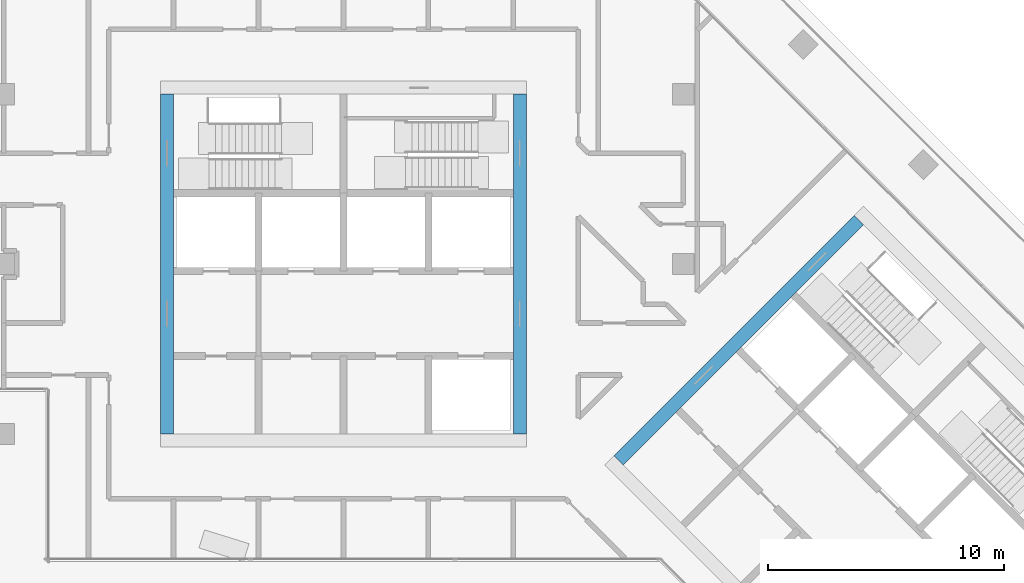
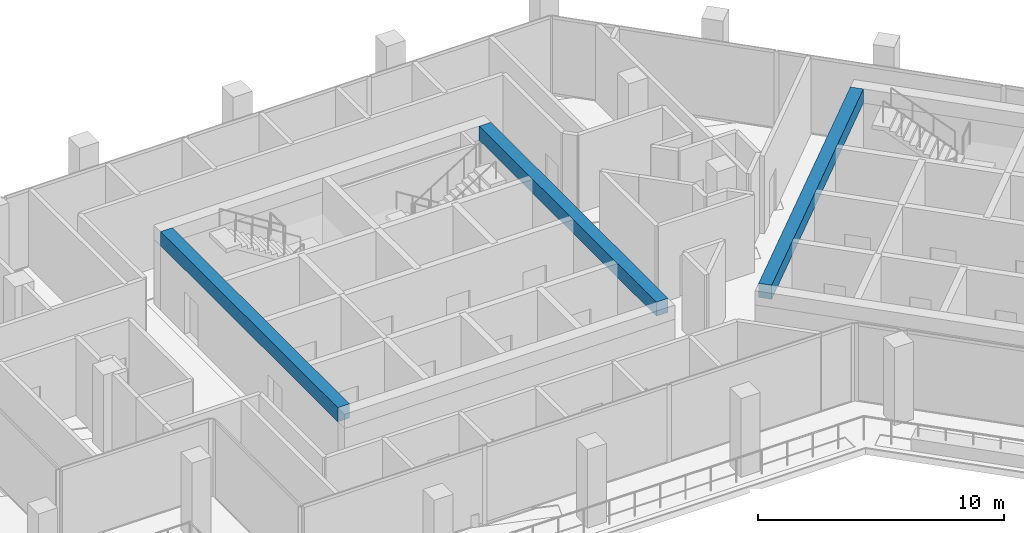
# One storey, part 4 of 19: 3 beams.
"""IFC4 building model written with IfcOpenShell, lengths in metres."""

from ifc_helpers import new_model, si_unit, direction, frame, origin, origin_2d, place, context, subcontext, project, spatial, rectangle, extrude, material, material_profile, profile_set, type_object, element, save


model = new_model("IFC4")

# Units and contexts
model_context = context("Model", 3, precision=1e-05, world=origin(), true_north=direction((0.0, 1.0)))
body_context = subcontext(model_context, "Body", "Model", "MODEL_VIEW")
ifc_project = project(units=[si_unit("LENGTHUNIT", "METRE"), si_unit("AREAUNIT", "SQUARE_METRE"), si_unit("VOLUMEUNIT", "CUBIC_METRE"), si_unit("PLANEANGLEUNIT", "RADIAN"), si_unit("MASSUNIT", "GRAM", prefix="KILO")], contexts=[model_context])

# Site, building, storey
site_placement = place(None, origin())
site = spatial("IfcSite", under=ifc_project, at=site_placement, CompositionType="ELEMENT")
building_placement = place(site_placement, origin())
building = spatial("IfcBuilding", under=site, at=building_placement, Name="Windrow Commons", CompositionType="ELEMENT")
storey_placement = place(building_placement, frame((0.0, 0.0, 185.4)))
storey = spatial("IfcBuildingStorey", under=building, at=storey_placement, Name="L50", CompositionType="ELEMENT", Elevation=185.4)

# Beams
ifc_material = material(Name="Concrete C50/60", Category="concrete")
ifc_material_profile = material_profile(ifc_material, rectangle(XDim=0.55, YDim=0.7, at=origin_2d()))
ifc_profile_set = profile_set([ifc_material_profile], Name="Concrete C50/60")
beam_type = type_object("IfcBeamType", Name="RC COUPLING BEAM 550x700 C50/60", PredefinedType="LINTEL", material=ifc_profile_set)
for number, where, z_axis, x_axis, name in (
    (1, (57.325, 50.4, 3.55), (0.0, 1.0, 0.0), (-1.0, 0.0, 0.0), "Core A coupling beam outer-W"),
    (2, (72.275, 50.4, 3.55), (0.0, 1.0, 0.0), (-1.0, 0.0, 0.0), "Core A coupling beam outer-E"),
):
    element("IfcBeam", number, at=place(storey_placement, frame(where, z_axis=z_axis, x_axis=x_axis)), inside=storey, type_object=beam_type, Name=name, PredefinedType="LINTEL", context=body_context, shape_type="SweptSolid", body=[
        extrude(rectangle(XDim=0.55, YDim=0.7, at=origin_2d()), origin(), (0.0, 0.0, 1.0), 14.4),
    ])
beam_placement = place(storey_placement, frame((76.46, 49.2842, 3.55), z_axis=(0.7071067812, 0.7071067812, 0.0), x_axis=(-0.7071067812, 0.7071067812, 0.0)))
element("IfcBeam", 3, at=beam_placement, inside=storey, type_object=beam_type, Name="Core B coupling beam outer-W", PredefinedType="LINTEL", context=body_context, shape_type="SweptSolid", body=[
    extrude(rectangle(XDim=0.55, YDim=0.7, at=origin_2d()), origin(), (0.0, 0.0, 1.0), 14.3999),
])

save(model, "model.ifc")
